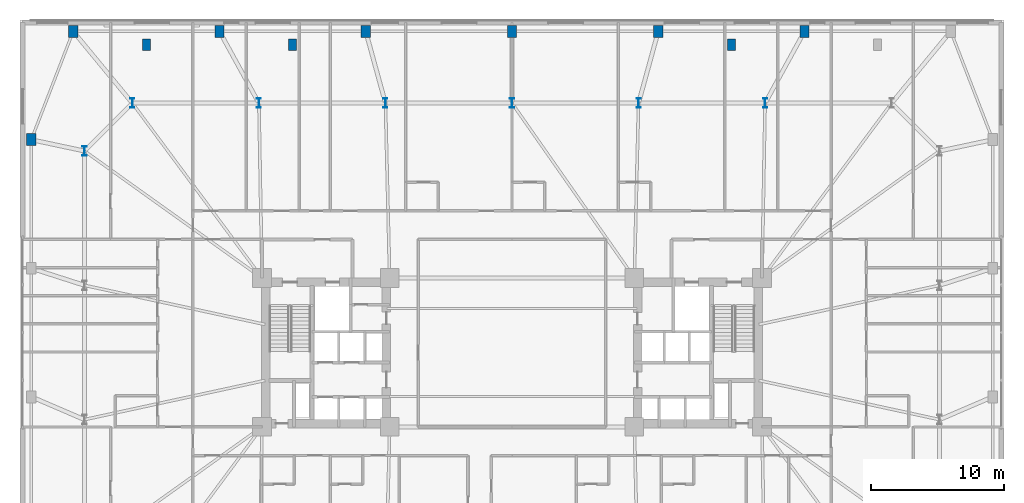
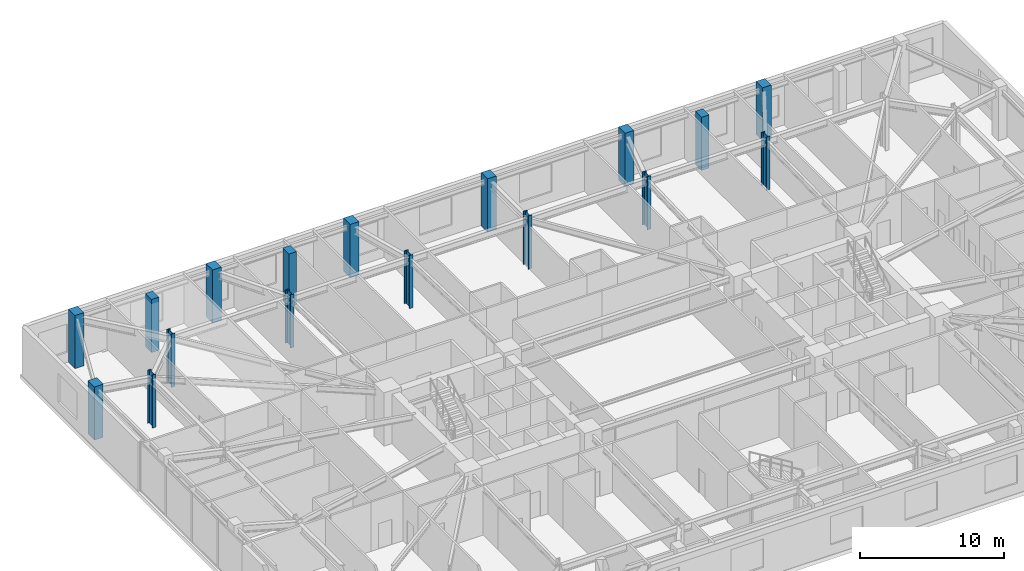
# One storey, part 2 of 21: 17 columns.
"""IFC4 building model written with IfcOpenShell, lengths in metres."""

from ifc_helpers import new_model, si_unit, direction, frame, origin, origin_2d, place, context, subcontext, project, spatial, rectangle, i_section, extrude, material, material_profile, profile_set, type_object, element, save


model = new_model("IFC4")

# Units and contexts
model_context = context("Model", 3, precision=1e-05, world=origin(), true_north=direction((0.0, 1.0)))
body_context = subcontext(model_context, "Body", "Model", "MODEL_VIEW")
ifc_project = project(units=[si_unit("LENGTHUNIT", "METRE"), si_unit("AREAUNIT", "SQUARE_METRE"), si_unit("VOLUMEUNIT", "CUBIC_METRE"), si_unit("PLANEANGLEUNIT", "RADIAN"), si_unit("MASSUNIT", "GRAM", prefix="KILO")], contexts=[model_context])

# Site, building, storey
site_placement = place(None, origin())
site = spatial("IfcSite", under=ifc_project, at=site_placement, CompositionType="ELEMENT")
building_placement = place(site_placement, origin())
building = spatial("IfcBuilding", under=site, at=building_placement, Name="Qobustan Lattice House", CompositionType="ELEMENT")
storey_placement = place(building_placement, frame((0.0, 0.0, 18.0)))
storey = spatial("IfcBuildingStorey", under=building, at=storey_placement, Name="L04", CompositionType="ELEMENT", Elevation=18.0)

# Columns
ifc_material_1 = material(Name="Concrete C50/60", Category="concrete")
ifc_material_profile_1 = material_profile(ifc_material_1, rectangle(XDim=0.60009765625, YDim=0.85009765625, at=origin_2d()), Name="RC600x850")
ifc_profile_set_1 = profile_set([ifc_material_profile_1], Name="Concrete C50/60")
column_type_1 = type_object("IfcColumnType", Name="COL-PIL-600x850", PredefinedType="PILASTER", material=ifc_profile_set_1)
for number, where, z_axis, x_axis, name in (
    (1, (-27.5, 23.14990234375, 0.0), (0.0, 0.0, 1.0), (1.0, 0.0, 0.0), "L04 colonnade pilaster N1"),
    (2, (-16.5, 23.14990234375, 0.0), (0.0, 0.0, 1.0), (1.0, 0.0, 0.0), "L04 colonnade pilaster N2"),
    (3, (16.5, 23.14990234375, 0.0), (0.0, 0.0, 1.0), (1.0, 0.0, 0.0), "L04 colonnade pilaster N3"),
):
    element("IfcColumn", number, at=place(storey_placement, frame(where, z_axis=z_axis, x_axis=x_axis)), inside=storey, type_object=column_type_1, Name=name, PredefinedType="PILASTER", context=body_context, shape_type="SweptSolid", body=[
        extrude(rectangle(XDim=0.60009765625, YDim=0.85009765625, at=origin_2d()), origin(), (0.0, 0.0, 1.0), 4.5),
    ])
ifc_material_2 = material(Name="Concrete C50/60", Category="concrete")
ifc_material_profile_2 = material_profile(ifc_material_2, rectangle(XDim=0.699951171875, YDim=0.89990234375, at=origin_2d()), Name="RC700x900")
ifc_profile_set_2 = profile_set([ifc_material_profile_2], Name="Concrete C50/60")
column_type_2 = type_object("IfcColumnType", Name="COL-RC-700x900", PredefinedType="COLUMN", material=ifc_profile_set_2)
for number, where, z_axis, x_axis, name in (
    (4, (-33.0, 24.14990234375, 0.0), (0.0, 0.0, 1.0), (1.0, 0.0, 0.0), "L04 podium column PN1"),
    (5, (-22.0, 24.14990234375, 0.0), (0.0, 0.0, 1.0), (1.0, 0.0, 0.0), "L04 podium column PN2"),
    (6, (-11.0, 24.14990234375, 0.0), (0.0, 0.0, 1.0), (1.0, 0.0, 0.0), "L04 podium column PN3"),
    (7, (0.0, 24.14990234375, 0.0), (0.0, 0.0, 1.0), (1.0, 0.0, 0.0), "L04 podium column PN4"),
    (8, (11.0, 24.14990234375, 0.0), (0.0, 0.0, 1.0), (1.0, 0.0, 0.0), "L04 podium column PN5"),
    (9, (22.0, 24.14990234375, 0.0), (0.0, 0.0, 1.0), (1.0, 0.0, 0.0), "L04 podium column PN6"),
    (10, (-36.14990234375, 16.0, 0.0), (0.0, 0.0, 1.0), (1.0, 0.0, 0.0), "L04 podium column PW4"),
):
    element("IfcColumn", number, at=place(storey_placement, frame(where, z_axis=z_axis, x_axis=x_axis)), inside=storey, type_object=column_type_2, Name=name, PredefinedType="COLUMN", context=body_context, shape_type="SweptSolid", body=[
        extrude(rectangle(XDim=0.699951171875, YDim=0.89990234375, at=origin_2d()), origin(), (0.0, 0.0, 1.0), 4.5),
    ])
ifc_material_3 = material(Name="Steel S460", Category="steel")
ifc_material_profile_3 = material_profile(ifc_material_3, i_section(OverallWidth=0.303955078125, OverallDepth=0.716064453125, WebThickness=0.02099609375, FlangeThickness=0.0400390625, FilletRadius=0.027099609375, at=origin_2d()), Name="HEM700")
ifc_profile_set_3 = profile_set([ifc_material_profile_3], Name="Steel S460")
column_type_3 = type_object("IfcColumnType", Name="COL-ST-HEM700", PredefinedType="COLUMN", material=ifc_profile_set_3)
for number, where, z_axis, x_axis, name in (
    (11, (19.033203125, 18.75, 0.0), (0.0, 0.0, 1.0), (1.0, 0.0, 0.0), "L04 tower base column N2"),
    (12, (9.5166015625, 18.75, 0.0), (0.0, 0.0, 1.0), (1.0, 0.0, 0.0), "L04 tower base column N3"),
    (13, (0.0, 18.75, 0.0), (0.0, 0.0, 1.0), (1.0, 0.0, 0.0), "L04 tower base column N4"),
    (14, (-9.5166015625, 18.75, 0.0), (0.0, 0.0, 1.0), (1.0, 0.0, 0.0), "L04 tower base column N5"),
    (15, (-19.033203125, 18.75, 0.0), (0.0, 0.0, 1.0), (1.0, 0.0, 0.0), "L04 tower base column N6"),
    (16, (-28.550048828125, 18.75, 0.0), (0.0, 0.0, 1.0), (1.0, 0.0, 0.0), "L04 tower base column N7"),
    (17, (-32.14990234375, 15.14990234375, 0.0), (0.0, 0.0, 1.0), (1.0, 0.0, 0.0), "L04 tower base column W1"),
):
    element("IfcColumn", number, at=place(storey_placement, frame(where, z_axis=z_axis, x_axis=x_axis)), inside=storey, type_object=column_type_3, Name=name, PredefinedType="COLUMN", context=body_context, shape_type="SweptSolid", body=[
        extrude(i_section(OverallWidth=0.303955078125, OverallDepth=0.716064453125, WebThickness=0.02099609375, FlangeThickness=0.0400390625, FilletRadius=0.027099609375, at=origin_2d()), origin(), (0.0, 0.0, 1.0), 4.5),
    ])

save(model, "model.ifc")
